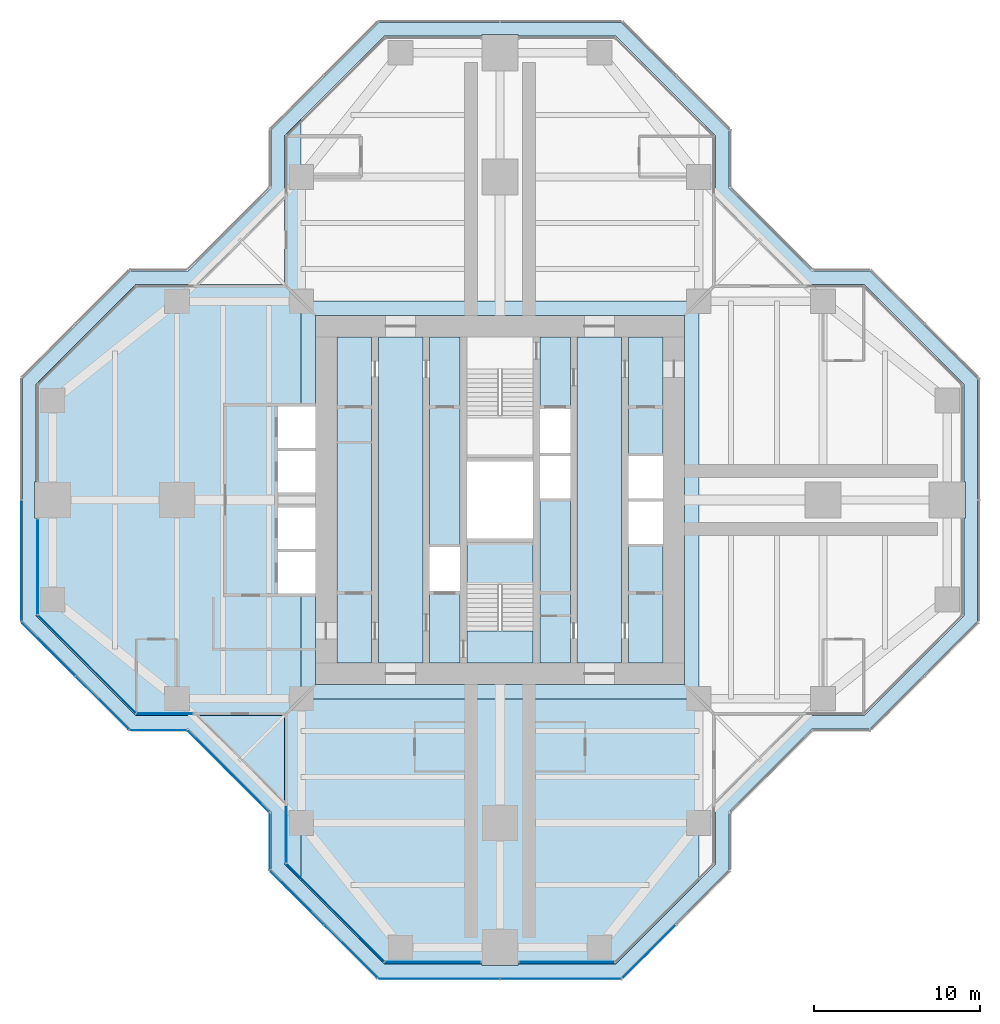
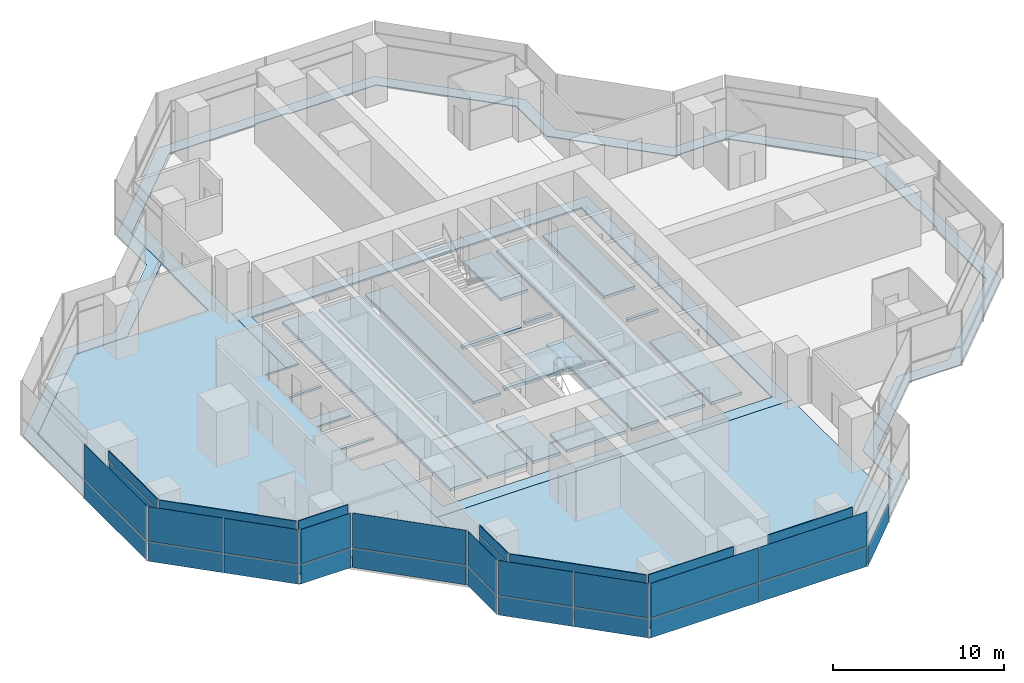
# One storey, part 10 of 17: 36 plates, 7 slabs, 16 elements without a shape of their own.
"""IFC4 building model written with IfcOpenShell, lengths in metres."""

from ifc_helpers import new_model, si_unit, direction, frame, origin, origin_2d, place, context, subcontext, project, spatial, polyline, rectangle, outline, extrude, material, layer, layer_set, type_object, element, aggregate, save


model = new_model("IFC4")

# Units and contexts
model_context = context("Model", 3, precision=1e-05, world=origin(), true_north=direction((0.0, 1.0)))
body_context = subcontext(model_context, "Body", "Model", "MODEL_VIEW")
ifc_project = project(units=[si_unit("LENGTHUNIT", "METRE"), si_unit("AREAUNIT", "SQUARE_METRE"), si_unit("VOLUMEUNIT", "CUBIC_METRE"), si_unit("PLANEANGLEUNIT", "RADIAN"), si_unit("MASSUNIT", "GRAM", prefix="KILO")], contexts=[model_context])

# Site, building, storey
site_placement = place(None, origin())
site = spatial("IfcSite", under=ifc_project, at=site_placement, CompositionType="ELEMENT")
building_placement = place(site_placement, origin())
building = spatial("IfcBuilding", under=site, at=building_placement, Name="Mizan Broadcast Tower", CompositionType="ELEMENT")
storey_placement = place(building_placement, frame((0.0, 0.0, 251.699951171875)))
storey = spatial("IfcBuildingStorey", under=building, at=storey_placement, Name="L59", CompositionType="ELEMENT", Elevation=251.699951171875)

# Plate
ifc_material_1 = material(Name="Aluminium grating", Category="aluminium")
ifc_layer_1 = layer(ifc_material_1, 0.050048828125)
ifc_layer_set_1 = layer_set([ifc_layer_1], Name="Aluminium grating")
plate_type_1 = type_object("IfcPlateType", Name="CAVITY GRATING", PredefinedType="USERDEFINED", material=ifc_layer_set_1)
plate_1_placement = place(storey_placement, frame((0.0, 0.0, -0.050048828125)))
element("IfcPlate", 1, at=plate_1_placement, inside=storey, type_object=plate_type_1, Name="Cavity grating L59", ObjectType="GRATING", PredefinedType="USERDEFINED", context=body_context, shape_type="SweptSolid", body=[
    extrude(outline(polyline([(13.820068359375, -18.839599609375), (18.839599609375, -13.820068359375), (22.339599609375, -13.820068359375), (28.820068359375, -7.339599609375), (28.820068359375, 7.339599609375), (22.339599609375, 13.820068359375), (18.839599609375, 13.820068359375), (13.820068359375, 18.839599609375), (13.820068359375, 22.339599609375), (7.339599609375, 28.820068359375), (-7.339599609375, 28.820068359375), (-13.820068359375, 22.339599609375), (-13.820068359375, 18.839599609375), (-18.839599609375, 13.820068359375), (-22.339599609375, 13.820068359375), (-28.820068359375, 7.339599609375), (-28.820068359375, -7.339599609375), (-22.339599609375, -13.820068359375), (-18.839599609375, -13.820068359375), (-13.820068359375, -18.839599609375), (-13.820068359375, -22.339599609375), (-7.339599609375, -28.820068359375), (7.339599609375, -28.820068359375), (13.820068359375, -22.339599609375), (13.820068359375, -18.839599609375)]), holes=[polyline([(28.0, -1.10009765625), (28.0, -7.0), (22.0, -13.0), (18.5, -13.0), (13.0, -18.5), (13.0, -22.0), (7.0, -28.0), (1.10009765625, -28.0), (1.10009765625, -28.10009765625), (-1.10009765625, -28.10009765625), (-1.10009765625, -28.0), (-7.0, -28.0), (-13.0, -22.0), (-13.0, -18.5), (-18.5, -13.0), (-22.0, -13.0), (-28.0, -7.0), (-28.0, -1.10009765625), (-28.10009765625, -1.10009765625), (-28.10009765625, 1.10009765625), (-28.0, 1.10009765625), (-28.0, 7.0), (-22.0, 13.0), (-18.5, 13.0), (-13.0, 18.5), (-13.0, 22.0), (-7.0, 28.0), (-1.10009765625, 28.0), (-1.10009765625, 28.10009765625), (1.10009765625, 28.10009765625), (1.10009765625, 28.0), (7.0, 28.0), (13.0, 22.0), (13.0, 18.5), (18.5, 13.0), (22.0, 13.0), (28.0, 7.0), (28.0, 1.10009765625), (28.10009765625, 1.10009765625), (28.10009765625, -1.10009765625), (28.0, -1.10009765625)])]), origin(), (0.0, 0.0, 1.0), 0.050048828125),
])

# Slabs
ifc_material_2 = material(Name="Concrete C32/40", Category="concrete")
ifc_layer_2 = layer(ifc_material_2, 0.1298828125)
ifc_layer_set_2 = layer_set([ifc_layer_2], Name="Concrete C32/40")
slab_type_1 = type_object("IfcSlabType", Name="COMPOSITE DECK SLAB 130", PredefinedType="FLOOR", material=ifc_layer_set_2)
slab_1_placement = place(storey_placement, frame((0.0, 0.0, -0.1298828125)))
element("IfcSlab", 2, at=slab_1_placement, inside=storey, type_object=slab_type_1, Name="Floor slab L59 centre", PredefinedType="FLOOR", context=body_context, shape_type="SweptSolid", body=[
    extrude(outline(polyline([(-11.14990234375, -5.64990234375), (-12.0, -5.64990234375), (-12.0, -12.0), (12.0, -12.0), (12.0, 12.0), (-12.0, 12.0), (-12.0, 5.64990234375), (-11.14990234375, 5.64990234375), (-11.14990234375, 11.14990234375), (11.14990234375, 11.14990234375), (11.14990234375, -11.14990234375), (-11.14990234375, -11.14990234375), (-11.14990234375, -5.64990234375)])), origin(), (0.0, 0.0, 1.0), 0.1298828125),
])
slab_2_placement = place(storey_placement, frame((0.0, 0.0, -0.1298828125)))
element("IfcSlab", 3, at=slab_2_placement, inside=storey, type_object=slab_type_1, Name="Floor slab L59 west arm", PredefinedType="FLOOR", context=body_context, shape_type="SweptSolid", body=[
    extrude(outline(polyline([(-22.0, 13.0), (-28.0, 7.0), (-28.0, -7.0), (-22.0, -13.0), (-13.0, -13.0), (-13.0, -22.0), (-12.0, -23.0), (-12.0, -5.64990234375), (-13.39990234375, -5.64990234375), (-13.39990234375, -3.14990234375), (-11.14990234375, -3.14990234375), (-11.14990234375, -2.949951171875), (-13.39990234375, -2.949951171875), (-13.39990234375, -0.449951171875), (-11.14990234375, -0.449951171875), (-11.14990234375, 0.449951171875), (-13.39990234375, 0.449951171875), (-13.39990234375, 2.949951171875), (-11.14990234375, 2.949951171875), (-11.14990234375, 3.14990234375), (-13.39990234375, 3.14990234375), (-13.39990234375, 5.64990234375), (-12.0, 5.64990234375), (-12.0, 23.0), (-13.0, 22.0), (-13.0, 13.0), (-22.0, 13.0)])), origin(), (0.0, 0.0, 1.0), 0.1298828125),
])
slab_3_placement = place(storey_placement, frame((0.0, 0.0, -0.1298828125)))
element("IfcSlab", 4, at=slab_3_placement, inside=storey, type_object=slab_type_1, Name="Floor slab L59 south arm", PredefinedType="FLOOR", context=body_context, shape_type="SweptSolid", body=[
    extrude(outline(polyline([(7.0, -28.0), (12.0, -23.0), (12.0, -12.0), (-12.0, -12.0), (-12.0, -23.0), (-7.0, -28.0), (7.0, -28.0)])), origin(), (0.0, 0.0, 1.0), 0.1298828125),
])
ifc_material_3 = material(Name="Concrete C40/50", Category="concrete")
ifc_layer_3 = layer(ifc_material_3, 0.199951171875)
ifc_layer_set_3 = layer_set([ifc_layer_3], Name="Concrete C40/50")
slab_type_2 = type_object("IfcSlabType", Name="CORE FLOOR 200", PredefinedType="FLOOR", material=ifc_layer_set_3)
slab_4_placement = place(storey_placement, frame((0.0, 0.0, -0.199951171875)))
element("IfcSlab", 5, at=slab_4_placement, inside=storey, type_object=slab_type_2, Name="Core floor L59", PredefinedType="FLOOR", context=body_context, shape_type="SweptSolid", body=[
    extrude(outline(polyline([(-9.85009765625, -9.85009765625), (-7.75, -9.85009765625), (-7.75, 9.85009765625), (-9.85009765625, 9.85009765625), (-9.85009765625, -9.85009765625)])), origin(), (0.0, 0.0, 1.0), 0.199951171875),
    extrude(outline(polyline([(-4.64990234375, 9.85009765625), (-7.35009765625, 9.85009765625), (-7.35009765625, -9.85009765625), (-4.64990234375, -9.85009765625), (-4.64990234375, 9.85009765625)])), origin(), (0.0, 0.0, 1.0), 0.199951171875),
    extrude(outline(polyline([(-4.25, -5.5), (-4.25, -9.85009765625), (-2.39990234375, -9.85009765625), (-2.39990234375, -5.5), (-4.25, -5.5)])), origin(), (0.0, 0.0, 1.0), 0.199951171875),
    extrude(outline(polyline([(-4.25, -2.85009765625), (-2.39990234375, -2.85009765625), (-2.39990234375, 9.85009765625), (-4.25, 9.85009765625), (-4.25, -2.85009765625)])), origin(), (0.0, 0.0, 1.0), 0.199951171875),
    extrude(outline(polyline([(2.0, -2.324951171875), (-2.0, -2.324951171875), (-2.0, -2.574951171875), (2.0, -2.574951171875), (2.0, -2.324951171875)])), origin(), (0.0, 0.0, 1.0), 0.199951171875),
    extrude(outline(polyline([(2.0, 2.574951171875), (-2.0, 2.574951171875), (-2.0, 2.324951171875), (2.0, 2.324951171875), (2.0, 2.574951171875)])), origin(), (0.0, 0.0, 1.0), 0.199951171875),
    extrude(outline(polyline([(4.25, -9.85009765625), (4.25, 0.10009765625), (2.39990234375, 0.10009765625), (2.39990234375, -9.85009765625), (4.25, -9.85009765625)])), origin(), (0.0, 0.0, 1.0), 0.199951171875),
    extrude(outline(polyline([(4.25, 2.64990234375), (4.25, 2.85009765625), (2.39990234375, 2.85009765625), (2.39990234375, 2.64990234375), (4.25, 2.64990234375)])), origin(), (0.0, 0.0, 1.0), 0.199951171875),
    extrude(outline(polyline([(4.25, 5.5), (4.25, 9.85009765625), (2.39990234375, 9.85009765625), (2.39990234375, 5.5), (4.25, 5.5)])), origin(), (0.0, 0.0, 1.0), 0.199951171875),
    extrude(outline(polyline([(4.64990234375, 9.85009765625), (4.64990234375, -9.85009765625), (7.35009765625, -9.85009765625), (7.35009765625, 9.85009765625), (4.64990234375, 9.85009765625)])), origin(), (0.0, 0.0, 1.0), 0.199951171875),
    extrude(outline(polyline([(9.85009765625, -9.85009765625), (9.85009765625, -2.64990234375), (7.75, -2.64990234375), (7.75, -9.85009765625), (9.85009765625, -9.85009765625)])), origin(), (0.0, 0.0, 1.0), 0.199951171875),
    extrude(outline(polyline([(9.85009765625, -0.10009765625), (9.85009765625, 0.10009765625), (7.75, 0.10009765625), (7.75, -0.10009765625), (9.85009765625, -0.10009765625)])), origin(), (0.0, 0.0, 1.0), 0.199951171875),
    extrude(outline(polyline([(7.75, 9.85009765625), (7.75, 2.64990234375), (9.85009765625, 2.64990234375), (9.85009765625, 9.85009765625), (7.75, 9.85009765625)])), origin(), (0.0, 0.0, 1.0), 0.199951171875),
])

# Curtain wall, plate
ifc_material_4 = material(Name="Aluminium framed glazing", Category="aluminium")
curtain_wall_type_1 = type_object("IfcCurtainWallType", Name="INNER SKIN HIGH ZONE", PredefinedType="USERDEFINED", material=ifc_material_4)
curtain_wall_1_placement = place(storey_placement, origin())
curtain_wall_1 = element("IfcCurtainWall", 6, at=curtain_wall_1_placement, inside=storey, type_object=curtain_wall_type_1, Name="Inner skin high zone L59 W end", ObjectType="INNER SKIN HIGH ZONE", PredefinedType="USERDEFINED")
ifc_material_5 = material(Name="Double glazing, clear low-e", Category="glass")
ifc_layer_4 = layer(ifc_material_5, 0.028076171875)
ifc_layer_set_4 = layer_set([ifc_layer_4], Name="Double glazing, clear low-e")
plate_type_2 = type_object("IfcPlateType", Name="INNER SKIN GLAZING UNIT", PredefinedType="CURTAIN_PANEL", material=ifc_layer_set_4)
plate_2_placement = place(storey_placement, frame((-27.89990234375, -4.029296875, 0.0), z_axis=(0.0, 0.0, 1.0), x_axis=(0.0, -1.0, 0.0)))
plate_2 = element("IfcPlate", 7, at=plate_2_placement, type_object=plate_type_2, Name="Inner skin high zone L59 W end panel 1.1", PredefinedType="CURTAIN_PANEL", context=body_context, shape_type="SweptSolid", body=[
    extrude(rectangle(XDim=5.738525390625, YDim=0.028076171875, at=origin_2d()), origin(), (0.0, 0.0, 1.0), 3.0),
])

curtain_wall_2_placement = place(storey_placement, origin())
curtain_wall_2 = element("IfcCurtainWall", 8, at=curtain_wall_2_placement, inside=storey, type_object=curtain_wall_type_1, Name="Inner skin high zone L59 W chamfer", ObjectType="INNER SKIN HIGH ZONE", PredefinedType="USERDEFINED")
plate_3_placement = place(storey_placement, frame((-24.92919921875, -9.92919921875, 0.0), z_axis=(0.0, 0.0, 1.0), x_axis=(0.707106781187, -0.707106781187, 0.0)))
plate_3 = element("IfcPlate", 9, at=plate_3_placement, type_object=plate_type_2, Name="Inner skin high zone L59 W chamfer panel 1.1", PredefinedType="CURTAIN_PANEL", context=body_context, shape_type="SweptSolid", body=[
    extrude(rectangle(XDim=8.282470703125, YDim=0.028076171875, at=origin_2d()), origin(), (0.0, 0.0, 1.0), 3.0),
])

curtain_wall_3_placement = place(storey_placement, origin())
curtain_wall_3 = element("IfcCurtainWall", 10, at=curtain_wall_3_placement, inside=storey, type_object=curtain_wall_type_1, Name="Inner skin high zone L59 W side", ObjectType="INNER SKIN HIGH ZONE", PredefinedType="USERDEFINED")
plate_4_placement = place(storey_placement, frame((-20.229248046875, -12.89990234375, 0.0), z_axis=(0.0, 0.0, 1.0), x_axis=(1.0, 0.0, 0.0)))
plate_4 = element("IfcPlate", 11, at=plate_4_placement, type_object=plate_type_2, Name="Inner skin high zone L59 W side panel 1.1", PredefinedType="CURTAIN_PANEL", context=body_context, shape_type="SweptSolid", body=[
    extrude(rectangle(XDim=3.338623046875, YDim=0.028076171875, at=origin_2d()), origin(), (0.0, 0.0, 1.0), 3.0),
])

curtain_wall_4_placement = place(storey_placement, origin())
curtain_wall_4 = element("IfcCurtainWall", 12, at=curtain_wall_4_placement, inside=storey, type_object=curtain_wall_type_1, Name="Inner skin high zone L59 S side", ObjectType="INNER SKIN HIGH ZONE", PredefinedType="USERDEFINED")
plate_5_placement = place(storey_placement, frame((-12.89990234375, -20.229248046875, 0.0), z_axis=(0.0, 0.0, 1.0), x_axis=(0.0, -1.0, 0.0)))
plate_5 = element("IfcPlate", 13, at=plate_5_placement, type_object=plate_type_2, Name="Inner skin high zone L59 S side panel 1.1", PredefinedType="CURTAIN_PANEL", context=body_context, shape_type="SweptSolid", body=[
    extrude(rectangle(XDim=3.338623046875, YDim=0.028076171875, at=origin_2d()), origin(), (0.0, 0.0, 1.0), 3.0),
])

curtain_wall_5_placement = place(storey_placement, origin())
curtain_wall_5 = element("IfcCurtainWall", 14, at=curtain_wall_5_placement, inside=storey, type_object=curtain_wall_type_1, Name="Inner skin high zone L59 S chamfer", ObjectType="INNER SKIN HIGH ZONE", PredefinedType="USERDEFINED")
plate_6_placement = place(storey_placement, frame((-9.92919921875, -24.92919921875, 0.0), z_axis=(0.0, 0.0, 1.0), x_axis=(0.707106781187, -0.707106781187, 0.0)))
plate_6 = element("IfcPlate", 15, at=plate_6_placement, type_object=plate_type_2, Name="Inner skin high zone L59 S chamfer panel 1.1", PredefinedType="CURTAIN_PANEL", context=body_context, shape_type="SweptSolid", body=[
    extrude(rectangle(XDim=8.282470703125, YDim=0.028076171875, at=origin_2d()), origin(), (0.0, 0.0, 1.0), 3.0),
])

curtain_wall_6_placement = place(storey_placement, origin())
curtain_wall_6 = element("IfcCurtainWall", 16, at=curtain_wall_6_placement, inside=storey, type_object=curtain_wall_type_1, Name="Inner skin high zone L59 S end", ObjectType="INNER SKIN HIGH ZONE", PredefinedType="USERDEFINED")
plate_7_placement = place(storey_placement, frame((-4.029296875, -27.89990234375, 0.0), z_axis=(0.0, 0.0, 1.0), x_axis=(1.0, 0.0, 0.0)))
plate_7 = element("IfcPlate", 17, at=plate_7_placement, type_object=plate_type_2, Name="Inner skin high zone L59 S end panel 1.1", PredefinedType="CURTAIN_PANEL", context=body_context, shape_type="SweptSolid", body=[
    extrude(rectangle(XDim=5.738525390625, YDim=0.028076171875, at=origin_2d()), origin(), (0.0, 0.0, 1.0), 3.0),
])

curtain_wall_7_placement = place(storey_placement, origin())
curtain_wall_7 = element("IfcCurtainWall", 18, at=curtain_wall_7_placement, inside=storey, type_object=curtain_wall_type_1, Name="Inner skin high zone L59 S end", ObjectType="INNER SKIN HIGH ZONE", PredefinedType="USERDEFINED")
plate_8_placement = place(storey_placement, frame((4.029296875, -27.89990234375, 0.0), z_axis=(0.0, 0.0, 1.0), x_axis=(1.0, 0.0, 0.0)))
plate_8 = element("IfcPlate", 19, at=plate_8_placement, type_object=plate_type_2, Name="Inner skin high zone L59 S end panel 1.1", PredefinedType="CURTAIN_PANEL", context=body_context, shape_type="SweptSolid", body=[
    extrude(rectangle(XDim=5.738525390625, YDim=0.028076171875, at=origin_2d()), origin(), (0.0, 0.0, 1.0), 3.0),
])

# Plate
ifc_material_6 = material(Name="Insulated aluminium spandrel panel, pale anodised", Category="aluminium")
ifc_layer_5 = layer(ifc_material_6, 0.050048828125)
ifc_layer_set_5 = layer_set([ifc_layer_5], Name="Insulated aluminium spandrel panel, pale anodised")
plate_type_3 = type_object("IfcPlateType", Name="INNER SKIN SPANDREL PANEL", PredefinedType="CURTAIN_PANEL", material=ifc_layer_set_5)
plate_9_placement = place(storey_placement, frame((-27.89990234375, -4.029296875, 3.06005859375), z_axis=(0.0, 0.0, 1.0), x_axis=(0.0, -1.0, 0.0)))
plate_9 = element("IfcPlate", 20, at=plate_9_placement, type_object=plate_type_3, Name="Inner skin high zone L59 W end panel 1.2", PredefinedType="CURTAIN_PANEL", context=body_context, shape_type="SweptSolid", body=[
    extrude(rectangle(XDim=5.738525390625, YDim=0.050048828125, at=origin_2d()), origin(), (0.0, 0.0, 1.0), 0.7099609375),
])

aggregate(curtain_wall_1, [plate_2, plate_9])

plate_10_placement = place(storey_placement, frame((-24.92919921875, -9.92919921875, 3.06005859375), z_axis=(0.0, 0.0, 1.0), x_axis=(0.707106781187, -0.707106781187, 0.0)))
plate_10 = element("IfcPlate", 21, at=plate_10_placement, type_object=plate_type_3, Name="Inner skin high zone L59 W chamfer panel 1.2", PredefinedType="CURTAIN_PANEL", context=body_context, shape_type="SweptSolid", body=[
    extrude(rectangle(XDim=8.282470703125, YDim=0.050048828125, at=origin_2d()), origin(), (0.0, 0.0, 1.0), 0.7099609375),
])

aggregate(curtain_wall_2, [plate_3, plate_10])

plate_11_placement = place(storey_placement, frame((-20.229248046875, -12.89990234375, 3.06005859375), z_axis=(0.0, 0.0, 1.0), x_axis=(1.0, 0.0, 0.0)))
plate_11 = element("IfcPlate", 22, at=plate_11_placement, type_object=plate_type_3, Name="Inner skin high zone L59 W side panel 1.2", PredefinedType="CURTAIN_PANEL", context=body_context, shape_type="SweptSolid", body=[
    extrude(rectangle(XDim=3.338623046875, YDim=0.050048828125, at=origin_2d()), origin(), (0.0, 0.0, 1.0), 0.7099609375),
])

aggregate(curtain_wall_3, [plate_4, plate_11])

plate_12_placement = place(storey_placement, frame((-12.89990234375, -20.229248046875, 3.06005859375), z_axis=(0.0, 0.0, 1.0), x_axis=(0.0, -1.0, 0.0)))
plate_12 = element("IfcPlate", 23, at=plate_12_placement, type_object=plate_type_3, Name="Inner skin high zone L59 S side panel 1.2", PredefinedType="CURTAIN_PANEL", context=body_context, shape_type="SweptSolid", body=[
    extrude(rectangle(XDim=3.338623046875, YDim=0.050048828125, at=origin_2d()), origin(), (0.0, 0.0, 1.0), 0.7099609375),
])

aggregate(curtain_wall_4, [plate_5, plate_12])

plate_13_placement = place(storey_placement, frame((-9.92919921875, -24.92919921875, 3.06005859375), z_axis=(0.0, 0.0, 1.0), x_axis=(0.707106781187, -0.707106781187, 0.0)))
plate_13 = element("IfcPlate", 24, at=plate_13_placement, type_object=plate_type_3, Name="Inner skin high zone L59 S chamfer panel 1.2", PredefinedType="CURTAIN_PANEL", context=body_context, shape_type="SweptSolid", body=[
    extrude(rectangle(XDim=8.282470703125, YDim=0.050048828125, at=origin_2d()), origin(), (0.0, 0.0, 1.0), 0.7099609375),
])

aggregate(curtain_wall_5, [plate_6, plate_13])

plate_14_placement = place(storey_placement, frame((-4.029296875, -27.89990234375, 3.06005859375), z_axis=(0.0, 0.0, 1.0), x_axis=(1.0, 0.0, 0.0)))
plate_14 = element("IfcPlate", 25, at=plate_14_placement, type_object=plate_type_3, Name="Inner skin high zone L59 S end panel 1.2", PredefinedType="CURTAIN_PANEL", context=body_context, shape_type="SweptSolid", body=[
    extrude(rectangle(XDim=5.738525390625, YDim=0.050048828125, at=origin_2d()), origin(), (0.0, 0.0, 1.0), 0.7099609375),
])

aggregate(curtain_wall_6, [plate_7, plate_14])

plate_15_placement = place(storey_placement, frame((4.029296875, -27.89990234375, 3.06005859375), z_axis=(0.0, 0.0, 1.0), x_axis=(1.0, 0.0, 0.0)))
plate_15 = element("IfcPlate", 26, at=plate_15_placement, type_object=plate_type_3, Name="Inner skin high zone L59 S end panel 1.2", PredefinedType="CURTAIN_PANEL", context=body_context, shape_type="SweptSolid", body=[
    extrude(rectangle(XDim=5.738525390625, YDim=0.050048828125, at=origin_2d()), origin(), (0.0, 0.0, 1.0), 0.7099609375),
])

aggregate(curtain_wall_7, [plate_8, plate_15])

# Curtain wall, plates
ifc_material_7 = material(Name="Aluminium framed glazing", Category="aluminium")
curtain_wall_type_2 = type_object("IfcCurtainWallType", Name="OUTER SKIN", PredefinedType="USERDEFINED", material=ifc_material_7)
curtain_wall_8_placement = place(storey_placement, origin())
curtain_wall_8 = element("IfcCurtainWall", 27, at=curtain_wall_8_placement, inside=storey, type_object=curtain_wall_type_2, Name="Outer skin L59 W chamfer", ObjectType="OUTER SKIN", PredefinedType="USERDEFINED")
ifc_material_8 = material(Name="Laminated clear glass", Category="glass")
ifc_layer_6 = layer(ifc_material_8, 0.02001953125)
ifc_layer_set_6 = layer_set([ifc_layer_6], Name="Laminated clear glass")
plate_type_4 = type_object("IfcPlateType", Name="OUTER SKIN CLEAR GLASS", PredefinedType="CURTAIN_PANEL", material=ifc_layer_set_6)
plate_16_placement = place(storey_placement, frame((-27.254150390625, -9.018798828125, 0.0), z_axis=(0.0, 0.0, 1.0), x_axis=(0.707106781187, -0.707106781187, 0.0)))
plate_16 = element("IfcPlate", 28, at=plate_16_placement, type_object=plate_type_4, Name="Outer skin L59 W chamfer panel 1.1", PredefinedType="CURTAIN_PANEL", context=body_context, shape_type="SweptSolid", body=[
    extrude(rectangle(XDim=4.495361328125, YDim=0.02001953125, at=origin_2d()), origin(), (0.0, 0.0, 1.0), 1.3701171875),
])
plate_17_placement = place(storey_placement, frame((-27.254150390625, -9.018798828125, 1.43017578125), z_axis=(0.0, 0.0, 1.0), x_axis=(0.707106781187, -0.707106781187, 0.0)))
plate_17 = element("IfcPlate", 29, at=plate_17_placement, type_object=plate_type_4, Name="Outer skin L59 W chamfer panel 1.2", PredefinedType="CURTAIN_PANEL", context=body_context, shape_type="SweptSolid", body=[
    extrude(rectangle(XDim=4.495361328125, YDim=0.02001953125, at=origin_2d()), origin(), (0.0, 0.0, 1.0), 2.469970703125),
])

curtain_wall_9_placement = place(storey_placement, origin())
curtain_wall_9 = element("IfcCurtainWall", 30, at=curtain_wall_9_placement, inside=storey, type_object=curtain_wall_type_2, Name="Outer skin L59 W side", ObjectType="OUTER SKIN", PredefinedType="USERDEFINED")
plate_18_placement = place(storey_placement, frame((-20.622802734375, -13.89990234375, 0.0), z_axis=(0.0, 0.0, 1.0), x_axis=(1.0, 0.0, 0.0)))
plate_18 = element("IfcPlate", 31, at=plate_18_placement, type_object=plate_type_4, Name="Outer skin L59 W side panel 1.1", PredefinedType="CURTAIN_PANEL", context=body_context, shape_type="SweptSolid", body=[
    extrude(rectangle(XDim=3.340087890625, YDim=0.02001953125, at=origin_2d()), origin(), (0.0, 0.0, 1.0), 1.3701171875),
])
plate_19_placement = place(storey_placement, frame((-20.622802734375, -13.89990234375, 1.43017578125), z_axis=(0.0, 0.0, 1.0), x_axis=(1.0, 0.0, 0.0)))
plate_19 = element("IfcPlate", 32, at=plate_19_placement, type_object=plate_type_4, Name="Outer skin L59 W side panel 1.2", PredefinedType="CURTAIN_PANEL", context=body_context, shape_type="SweptSolid", body=[
    extrude(rectangle(XDim=3.340087890625, YDim=0.02001953125, at=origin_2d()), origin(), (0.0, 0.0, 1.0), 2.469970703125),
])
aggregate(curtain_wall_9, [plate_18, plate_19])

curtain_wall_10_placement = place(storey_placement, origin())
curtain_wall_10 = element("IfcCurtainWall", 33, at=curtain_wall_10_placement, inside=storey, type_object=curtain_wall_type_2, Name="Outer skin L59 W chamfer", ObjectType="OUTER SKIN", PredefinedType="USERDEFINED")
plate_20_placement = place(storey_placement, frame((-16.386474609375, -16.386474609375, 0.0), z_axis=(0.0, 0.0, 1.0), x_axis=(0.707106781187, -0.707106781187, 0.0)))
plate_20 = element("IfcPlate", 34, at=plate_20_placement, type_object=plate_type_4, Name="Outer skin L59 W chamfer panel 1.1", PredefinedType="CURTAIN_PANEL", context=body_context, shape_type="SweptSolid", body=[
    extrude(rectangle(XDim=6.87255859375, YDim=0.02001953125, at=origin_2d()), origin(), (0.0, 0.0, 1.0), 1.3701171875),
])
plate_21_placement = place(storey_placement, frame((-16.386474609375, -16.386474609375, 1.43017578125), z_axis=(0.0, 0.0, 1.0), x_axis=(0.707106781187, -0.707106781187, 0.0)))
plate_21 = element("IfcPlate", 35, at=plate_21_placement, type_object=plate_type_4, Name="Outer skin L59 W chamfer panel 1.2", PredefinedType="CURTAIN_PANEL", context=body_context, shape_type="SweptSolid", body=[
    extrude(rectangle(XDim=6.87255859375, YDim=0.02001953125, at=origin_2d()), origin(), (0.0, 0.0, 1.0), 2.469970703125),
])
aggregate(curtain_wall_10, [plate_20, plate_21])

curtain_wall_11_placement = place(storey_placement, origin())
curtain_wall_11 = element("IfcCurtainWall", 36, at=curtain_wall_11_placement, inside=storey, type_object=curtain_wall_type_2, Name="Outer skin L59 S side", ObjectType="OUTER SKIN", PredefinedType="USERDEFINED")
plate_22_placement = place(storey_placement, frame((-13.89990234375, -20.622802734375, 0.0), z_axis=(0.0, 0.0, 1.0), x_axis=(0.0, -1.0, 0.0)))
plate_22 = element("IfcPlate", 37, at=plate_22_placement, type_object=plate_type_4, Name="Outer skin L59 S side panel 1.1", PredefinedType="CURTAIN_PANEL", context=body_context, shape_type="SweptSolid", body=[
    extrude(rectangle(XDim=3.340087890625, YDim=0.02001953125, at=origin_2d()), origin(), (0.0, 0.0, 1.0), 1.3701171875),
])
plate_23_placement = place(storey_placement, frame((-13.89990234375, -20.622802734375, 1.43017578125), z_axis=(0.0, 0.0, 1.0), x_axis=(0.0, -1.0, 0.0)))
plate_23 = element("IfcPlate", 38, at=plate_23_placement, type_object=plate_type_4, Name="Outer skin L59 S side panel 1.2", PredefinedType="CURTAIN_PANEL", context=body_context, shape_type="SweptSolid", body=[
    extrude(rectangle(XDim=3.340087890625, YDim=0.02001953125, at=origin_2d()), origin(), (0.0, 0.0, 1.0), 2.469970703125),
])
aggregate(curtain_wall_11, [plate_22, plate_23])

curtain_wall_12_placement = place(storey_placement, origin())
curtain_wall_12 = element("IfcCurtainWall", 39, at=curtain_wall_12_placement, inside=storey, type_object=curtain_wall_type_2, Name="Outer skin L59 S chamfer", ObjectType="OUTER SKIN", PredefinedType="USERDEFINED")
plate_24_placement = place(storey_placement, frame((-12.254150390625, -24.018798828125, 0.0), z_axis=(0.0, 0.0, 1.0), x_axis=(0.707106781187, -0.707106781187, 0.0)))
plate_24 = element("IfcPlate", 40, at=plate_24_placement, type_object=plate_type_4, Name="Outer skin L59 S chamfer panel 1.1", PredefinedType="CURTAIN_PANEL", context=body_context, shape_type="SweptSolid", body=[
    extrude(rectangle(XDim=4.495361328125, YDim=0.02001953125, at=origin_2d()), origin(), (0.0, 0.0, 1.0), 1.3701171875),
])
plate_25_placement = place(storey_placement, frame((-12.254150390625, -24.018798828125, 1.43017578125), z_axis=(0.0, 0.0, 1.0), x_axis=(0.707106781187, -0.707106781187, 0.0)))
plate_25 = element("IfcPlate", 41, at=plate_25_placement, type_object=plate_type_4, Name="Outer skin L59 S chamfer panel 1.2", PredefinedType="CURTAIN_PANEL", context=body_context, shape_type="SweptSolid", body=[
    extrude(rectangle(XDim=4.495361328125, YDim=0.02001953125, at=origin_2d()), origin(), (0.0, 0.0, 1.0), 2.469970703125),
])

curtain_wall_13_placement = place(storey_placement, origin())
curtain_wall_13 = element("IfcCurtainWall", 42, at=curtain_wall_13_placement, inside=storey, type_object=curtain_wall_type_2, Name="Outer skin L59 S end", ObjectType="OUTER SKIN", PredefinedType="USERDEFINED")
plate_26_placement = place(storey_placement, frame((-3.66650390625, -28.89990234375, 0.0), z_axis=(0.0, 0.0, 1.0), x_axis=(1.0, 0.0, 0.0)))
plate_26 = element("IfcPlate", 43, at=plate_26_placement, type_object=plate_type_4, Name="Outer skin L59 S end panel 1.1", PredefinedType="CURTAIN_PANEL", context=body_context, shape_type="SweptSolid", body=[
    extrude(rectangle(XDim=7.252685546875, YDim=0.02001953125, at=origin_2d()), origin(), (0.0, 0.0, 1.0), 1.3701171875),
])
plate_27_placement = place(storey_placement, frame((-3.66650390625, -28.89990234375, 1.43017578125), z_axis=(0.0, 0.0, 1.0), x_axis=(1.0, 0.0, 0.0)))
plate_27 = element("IfcPlate", 44, at=plate_27_placement, type_object=plate_type_4, Name="Outer skin L59 S end panel 1.2", PredefinedType="CURTAIN_PANEL", context=body_context, shape_type="SweptSolid", body=[
    extrude(rectangle(XDim=7.252685546875, YDim=0.02001953125, at=origin_2d()), origin(), (0.0, 0.0, 1.0), 2.469970703125),
])

# Curtain wall, plate
curtain_wall_14_placement = place(storey_placement, origin())
curtain_wall_14 = element("IfcCurtainWall", 45, at=curtain_wall_14_placement, inside=storey, type_object=curtain_wall_type_2, Name="Outer skin L59 S chamfer", ObjectType="OUTER SKIN", PredefinedType="USERDEFINED")
plate_28_placement = place(storey_placement, frame((9.018798828125, -27.254150390625, 0.0), z_axis=(0.0, 0.0, 1.0), x_axis=(0.707106781187, 0.707106781187, 0.0)))
plate_28 = element("IfcPlate", 46, at=plate_28_placement, type_object=plate_type_4, Name="Outer skin L59 S chamfer panel 1.1", PredefinedType="CURTAIN_PANEL", context=body_context, shape_type="SweptSolid", body=[
    extrude(rectangle(XDim=4.495361328125, YDim=0.02001953125, at=origin_2d()), origin(), (0.0, 0.0, 1.0), 1.3701171875),
])
aggregate(curtain_wall_14, [plate_28])

# Curtain wall, plates
curtain_wall_15_placement = place(storey_placement, origin())
curtain_wall_15 = element("IfcCurtainWall", 47, at=curtain_wall_15_placement, inside=storey, type_object=curtain_wall_type_2, Name="Outer skin L59 W end", ObjectType="OUTER SKIN", PredefinedType="USERDEFINED")
ifc_material_9 = material(Name="Perforated aluminium, pale anodised", Category="aluminium")
ifc_layer_7 = layer(ifc_material_9, 0.011962890625)
ifc_layer_set_7 = layer_set([ifc_layer_7], Name="Perforated aluminium, pale anodised")
plate_type_5 = type_object("IfcPlateType", Name="OUTER SKIN PERFORATED SCREEN", PredefinedType="USERDEFINED", material=ifc_layer_set_7)
plate_29_placement = place(storey_placement, frame((-28.89990234375, -3.66650390625, 0.0), z_axis=(0.0, 0.0, 1.0), x_axis=(0.0, -1.0, 0.0)))
plate_29 = element("IfcPlate", 48, at=plate_29_placement, type_object=plate_type_5, Name="Outer skin L59 W end panel 2.1", ObjectType="SCREEN", PredefinedType="USERDEFINED", context=body_context, shape_type="SweptSolid", body=[
    extrude(rectangle(XDim=7.252685546875, YDim=0.011962890625, at=origin_2d()), origin(), (0.0, 0.0, 1.0), 1.3701171875),
])
plate_30_placement = place(storey_placement, frame((-28.89990234375, -3.66650390625, 1.43017578125), z_axis=(0.0, 0.0, 1.0), x_axis=(0.0, -1.0, 0.0)))
plate_30 = element("IfcPlate", 49, at=plate_30_placement, type_object=plate_type_5, Name="Outer skin L59 W end panel 2.2", ObjectType="SCREEN", PredefinedType="USERDEFINED", context=body_context, shape_type="SweptSolid", body=[
    extrude(rectangle(XDim=7.252685546875, YDim=0.011962890625, at=origin_2d()), origin(), (0.0, 0.0, 1.0), 2.469970703125),
])
aggregate(curtain_wall_15, [plate_29, plate_30])

# Plate
plate_31_placement = place(storey_placement, frame((-24.018798828125, -12.254150390625, 0.0), z_axis=(0.0, 0.0, 1.0), x_axis=(0.707106781187, -0.707106781187, 0.0)))
plate_31 = element("IfcPlate", 50, at=plate_31_placement, type_object=plate_type_5, Name="Outer skin L59 W chamfer panel 2.1", ObjectType="SCREEN", PredefinedType="USERDEFINED", context=body_context, shape_type="SweptSolid", body=[
    extrude(rectangle(XDim=4.495361328125, YDim=0.011962890625, at=origin_2d()), origin(), (0.0, 0.0, 1.0), 1.3701171875),
])

plate_32_placement = place(storey_placement, frame((-24.018798828125, -12.254150390625, 1.43017578125), z_axis=(0.0, 0.0, 1.0), x_axis=(0.707106781187, -0.707106781187, 0.0)))
plate_32 = element("IfcPlate", 51, at=plate_32_placement, type_object=plate_type_5, Name="Outer skin L59 W chamfer panel 2.2", ObjectType="SCREEN", PredefinedType="USERDEFINED", context=body_context, shape_type="SweptSolid", body=[
    extrude(rectangle(XDim=4.495361328125, YDim=0.011962890625, at=origin_2d()), origin(), (0.0, 0.0, 1.0), 2.469970703125),
])

aggregate(curtain_wall_8, [plate_16, plate_17, plate_31, plate_32])

plate_33_placement = place(storey_placement, frame((-9.018798828125, -27.254150390625, 0.0), z_axis=(0.0, 0.0, 1.0), x_axis=(0.707106781187, -0.707106781187, 0.0)))
plate_33 = element("IfcPlate", 52, at=plate_33_placement, type_object=plate_type_5, Name="Outer skin L59 S chamfer panel 2.1", ObjectType="SCREEN", PredefinedType="USERDEFINED", context=body_context, shape_type="SweptSolid", body=[
    extrude(rectangle(XDim=4.495361328125, YDim=0.011962890625, at=origin_2d()), origin(), (0.0, 0.0, 1.0), 1.3701171875),
])

plate_34_placement = place(storey_placement, frame((-9.018798828125, -27.254150390625, 1.43017578125), z_axis=(0.0, 0.0, 1.0), x_axis=(0.707106781187, -0.707106781187, 0.0)))
plate_34 = element("IfcPlate", 53, at=plate_34_placement, type_object=plate_type_5, Name="Outer skin L59 S chamfer panel 2.2", ObjectType="SCREEN", PredefinedType="USERDEFINED", context=body_context, shape_type="SweptSolid", body=[
    extrude(rectangle(XDim=4.495361328125, YDim=0.011962890625, at=origin_2d()), origin(), (0.0, 0.0, 1.0), 2.469970703125),
])

aggregate(curtain_wall_12, [plate_24, plate_25, plate_33, plate_34])

plate_35_placement = place(storey_placement, frame((3.66650390625, -28.89990234375, 0.0), z_axis=(0.0, 0.0, 1.0), x_axis=(1.0, 0.0, 0.0)))
plate_35 = element("IfcPlate", 54, at=plate_35_placement, type_object=plate_type_5, Name="Outer skin L59 S end panel 2.1", ObjectType="SCREEN", PredefinedType="USERDEFINED", context=body_context, shape_type="SweptSolid", body=[
    extrude(rectangle(XDim=7.252685546875, YDim=0.011962890625, at=origin_2d()), origin(), (0.0, 0.0, 1.0), 1.3701171875),
])

plate_36_placement = place(storey_placement, frame((3.66650390625, -28.89990234375, 1.43017578125), z_axis=(0.0, 0.0, 1.0), x_axis=(1.0, 0.0, 0.0)))
plate_36 = element("IfcPlate", 55, at=plate_36_placement, type_object=plate_type_5, Name="Outer skin L59 S end panel 2.2", ObjectType="SCREEN", PredefinedType="USERDEFINED", context=body_context, shape_type="SweptSolid", body=[
    extrude(rectangle(XDim=7.252685546875, YDim=0.011962890625, at=origin_2d()), origin(), (0.0, 0.0, 1.0), 2.469970703125),
])

aggregate(curtain_wall_13, [plate_26, plate_27, plate_35, plate_36])

# Stair, slabs
ifc_material_10 = material(Name="Concrete C40/50", Category="concrete")
stair_type = type_object("IfcStairType", Name="EXIT STAIR", PredefinedType="HALF_TURN_STAIR", material=ifc_material_10)
stair_placement = place(storey_placement, origin())
stair = element("IfcStair", 56, at=stair_placement, inside=storey, type_object=stair_type, Name="Stair A L59", PredefinedType="HALF_TURN_STAIR")
ifc_material_11 = material(Name="Concrete C40/50", Category="concrete")
ifc_layer_8 = layer(ifc_material_11, 0.199951171875)
ifc_layer_set_8 = layer_set([ifc_layer_8], Name="Concrete C40/50")
slab_type_3 = type_object("IfcSlabType", Name="STAIR LANDING 200", PredefinedType="LANDING", material=ifc_layer_set_8)
slab_5_placement = place(storey_placement, frame((0.0, 0.0, -0.199951171875)))
slab_5 = element("IfcSlab", 57, at=slab_5_placement, type_object=slab_type_3, Name="A landing 1", PredefinedType="LANDING", context=body_context, shape_type="SweptSolid", body=[
    extrude(outline(polyline([(-2.0, -9.85009765625), (-2.0, -7.89990234375), (2.0, -7.89990234375), (2.0, -9.85009765625), (-2.0, -9.85009765625)])), origin(), (0.0, 0.0, 1.0), 0.199951171875),
])
slab_6_placement = place(storey_placement, frame((0.0, 0.0, 1.75)))
slab_6 = element("IfcSlab", 58, at=slab_6_placement, type_object=slab_type_3, Name="A landing 2", PredefinedType="LANDING", context=body_context, shape_type="SweptSolid", body=[
    extrude(outline(polyline([(-2.0, -5.10009765625), (-2.0, -2.574951171875), (2.0, -2.574951171875), (2.0, -5.10009765625), (-2.0, -5.10009765625)])), origin(), (0.0, 0.0, 1.0), 0.199951171875),
])
aggregate(stair, [slab_5, slab_6])

# Slab
ifc_material_12 = material(Name="Concrete C32/40", Category="concrete")
ifc_layer_9 = layer(ifc_material_12, 0.1298828125)
ifc_layer_set_9 = layer_set([ifc_layer_9], Name="Concrete C32/40")
slab_type_4 = type_object("IfcSlabType", Name="WINTER GARDEN SLAB 130", PredefinedType="FLOOR", material=ifc_layer_set_9)
slab_7_placement = place(storey_placement, frame((0.0, 0.0, -0.1298828125)))
element("IfcSlab", 59, at=slab_7_placement, inside=storey, type_object=slab_type_4, Name="Winter garden slab L59 W", PredefinedType="FLOOR", context=body_context, shape_type="SweptSolid", body=[
    extrude(outline(polyline([(-13.0, -13.0), (-18.5, -13.0), (-13.0, -18.5), (-13.0, -13.0)])), origin(), (0.0, 0.0, 1.0), 0.1298828125),
])

save(model, "model.ifc")
